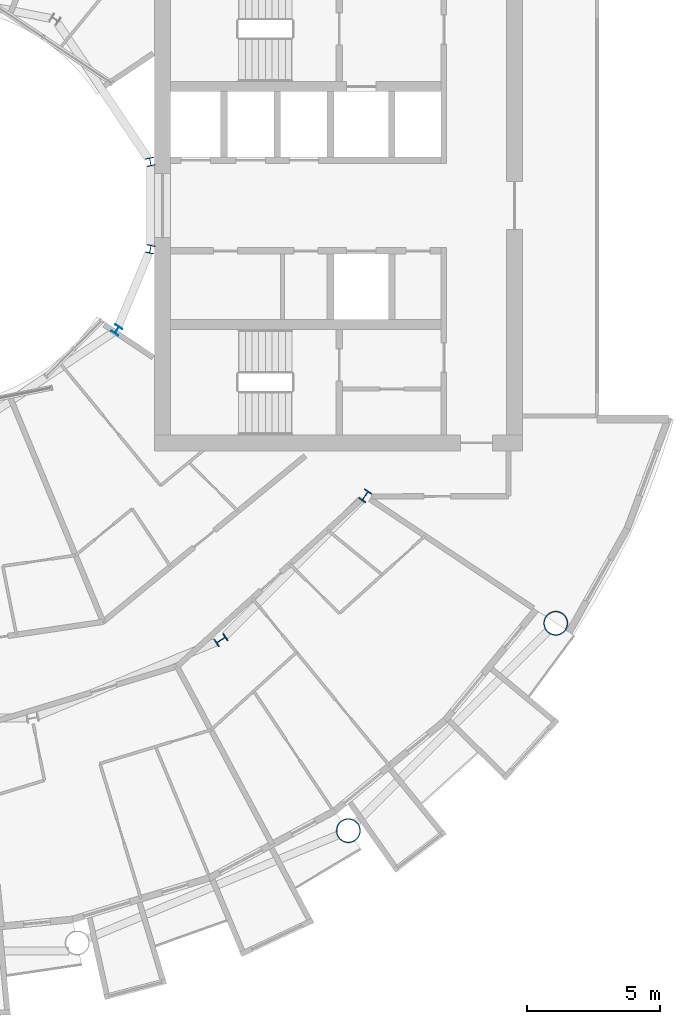
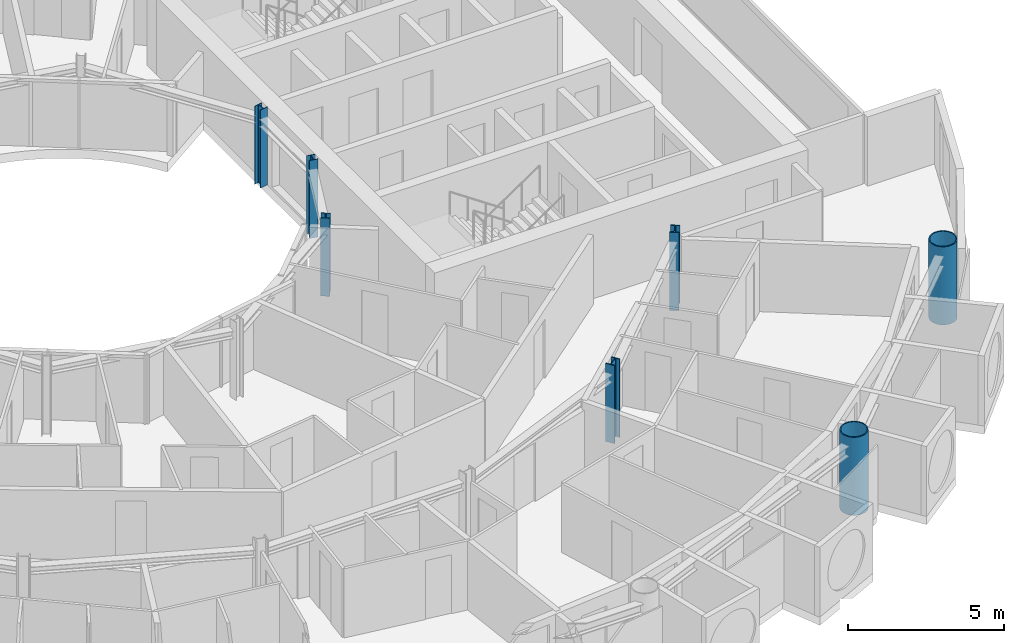
# One storey, part 2 of 28: 7 columns.
"""IFC4 building model written with IfcOpenShell, lengths in metres."""

from ifc_helpers import new_model, si_unit, direction, frame, origin, origin_2d, place, context, subcontext, project, spatial, hollow_circle, i_section, extrude, material, material_profile, profile_set, type_object, element, save


model = new_model("IFC4")

# Units and contexts
model_context = context("Model", 3, precision=1e-05, world=origin(), true_north=direction((0.0, 1.0)))
body_context = subcontext(model_context, "Body", "Model", "MODEL_VIEW")
ifc_project = project(units=[si_unit("LENGTHUNIT", "METRE"), si_unit("AREAUNIT", "SQUARE_METRE"), si_unit("VOLUMEUNIT", "CUBIC_METRE"), si_unit("PLANEANGLEUNIT", "RADIAN"), si_unit("MASSUNIT", "GRAM", prefix="KILO")], contexts=[model_context])

# Site, building, storey
site_placement = place(None, origin())
site = spatial("IfcSite", under=ifc_project, at=site_placement, CompositionType="ELEMENT")
building_placement = place(site_placement, origin())
building = spatial("IfcBuilding", under=site, at=building_placement, Name="Maasbend Ring Residences", CompositionType="ELEMENT")
storey_placement = place(building_placement, frame((0.0, 0.0, 129.949951171875)))
storey = spatial("IfcBuildingStorey", under=building, at=storey_placement, Name="L37", CompositionType="ELEMENT", Elevation=129.949951171875)

# Columns
ifc_material_1 = material(Name="Composite concrete-filled steel tube S460NH / C80/95", Category="concrete")
ifc_material_profile_1 = material_profile(ifc_material_1, hollow_circle(Radius=0.45703125, WallThickness=0.0400390625, at=origin_2d()), Name="Composite tube column CHS 914x40")
ifc_profile_set_1 = profile_set([ifc_material_profile_1], Name="Composite concrete-filled steel tube S460NH / C80/95")
column_type_1 = type_object("IfcColumnType", Name="Composite tube column CHS 914x40", PredefinedType="COLUMN", material=ifc_profile_set_1)
for number, where, z_axis, x_axis, name in (
    (1, (15.6669921875, -23.447509765625, 0.0), (0.0, 0.0, 1.0), (1.0, 0.0, 0.0), "Outer column R14"),
    (2, (23.447509765625, -15.6669921875, 0.0), (0.0, 0.0, 1.0), (1.0, 0.0, 0.0), "Outer column R15"),
):
    element("IfcColumn", number, at=place(storey_placement, frame(where, z_axis=z_axis, x_axis=x_axis)), inside=storey, type_object=column_type_1, Name=name, PredefinedType="COLUMN", context=body_context, shape_type="SweptSolid", body=[
        extrude(hollow_circle(Radius=0.45703125, WallThickness=0.0400390625, at=origin_2d()), origin(), (0.0, 0.0, 1.0), 3.050048828125),
    ])
ifc_material_2 = material(Name="Steel S355J2", Category="steel")
ifc_material_profile_2 = material_profile(ifc_material_2, i_section(OverallWidth=0.300048828125, OverallDepth=0.300048828125, WebThickness=0.010986328125, FlangeThickness=0.01904296875, FilletRadius=0.027099609375, at=origin_2d()), Name="HEB 300")
ifc_profile_set_2 = profile_set([ifc_material_profile_2], Name="Steel S355J2")
column_type_2 = type_object("IfcColumnType", Name="Steel column HEB 300", PredefinedType="COLUMN", material=ifc_profile_set_2)
for number, where, z_axis, x_axis, name in (
    (3, (8.238525390625, 1.638916015625, 0.0), (0.0, 0.0, 1.0), (0.980785280403, 0.195090322016, 0.0), "Well ring column R1"),
    (4, (6.984375, -4.666748046875, 0.0), (0.0, 0.0, 1.0), (0.831469612303, -0.55557023302, 0.0), "Well ring column R15"),
    (5, (8.238525390625, -1.638916015625, 0.0), (0.0, 0.0, 1.0), (0.980785280403, -0.195090322016, 0.0), "Well ring column R16"),
):
    element("IfcColumn", number, at=place(storey_placement, frame(where, z_axis=z_axis, x_axis=x_axis)), inside=storey, type_object=column_type_2, Name=name, PredefinedType="COLUMN", context=body_context, shape_type="SweptSolid", body=[
        extrude(i_section(OverallWidth=0.300048828125, OverallDepth=0.300048828125, WebThickness=0.010986328125, FlangeThickness=0.01904296875, FilletRadius=0.027099609375, at=origin_2d()), origin(), (0.0, 0.0, 1.0), 3.050048828125),
    ])
ifc_material_3 = material(Name="Steel S460M", Category="steel")
ifc_material_profile_3 = material_profile(ifc_material_3, i_section(OverallWidth=0.306884765625, OverallDepth=0.431884765625, WebThickness=0.02099609375, FlangeThickness=0.0400390625, FilletRadius=0.027099609375, at=origin_2d()), Name="HEM 400")
ifc_profile_set_3 = profile_set([ifc_material_profile_3], Name="Steel S460M")
column_type_3 = type_object("IfcColumnType", Name="Steel column HEM 400", PredefinedType="COLUMN", material=ifc_profile_set_3)
for number, where, z_axis, x_axis, name in (
    (6, (10.88916015625, -16.296875, 0.0), (0.0, 0.0, 1.0), (0.55557023302, -0.831469612303, 0.0), "Corridor ring column R14"),
    (7, (16.296875, -10.88916015625, 0.0), (0.0, 0.0, 1.0), (0.831469612303, -0.55557023302, 0.0), "Corridor ring column R15"),
):
    element("IfcColumn", number, at=place(storey_placement, frame(where, z_axis=z_axis, x_axis=x_axis)), inside=storey, type_object=column_type_3, Name=name, PredefinedType="COLUMN", context=body_context, shape_type="SweptSolid", body=[
        extrude(i_section(OverallWidth=0.306884765625, OverallDepth=0.431884765625, WebThickness=0.02099609375, FlangeThickness=0.0400390625, FilletRadius=0.027099609375, at=origin_2d()), origin(), (0.0, 0.0, 1.0), 3.050048828125),
    ])

save(model, "model.ifc")
